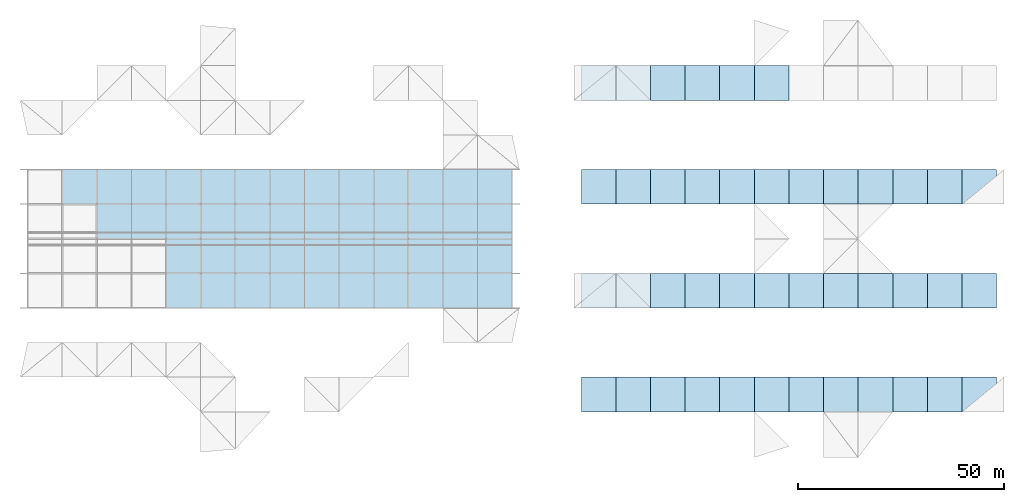
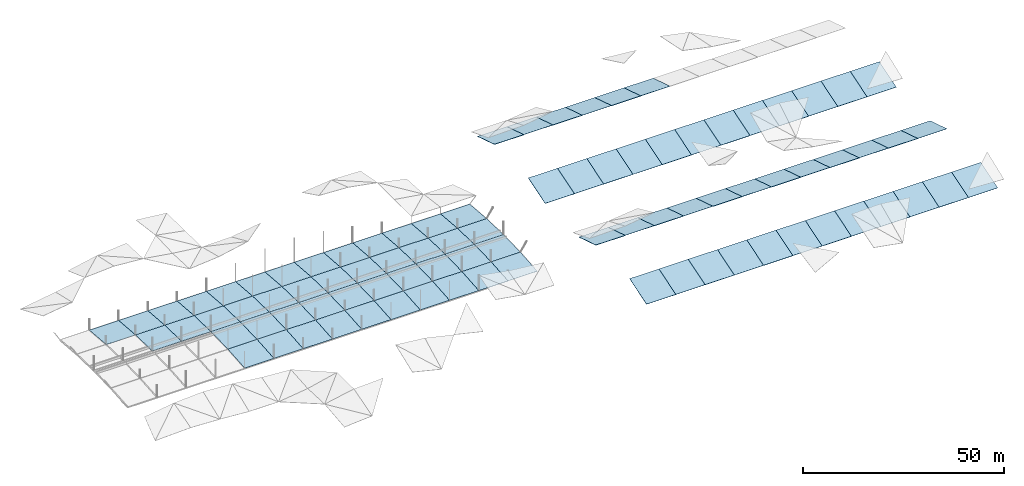
# One storey, part 3 of 37: 87 slabs.
"""IFC4 building model written with IfcOpenShell, lengths in metres."""

from ifc_helpers import new_model, si_unit, direction, frame, origin, place, context, subcontext, project, spatial, polyline, outline, extrude, material, layer, layer_set, type_object, element, save


model = new_model("IFC4")

# Units and contexts
model_context = context("Model", 3, precision=1e-05, world=origin(), true_north=direction((0.0, 1.0)))
body_context = subcontext(model_context, "Body", "Model", "MODEL_VIEW")
ifc_project = project(units=[si_unit("LENGTHUNIT", "METRE"), si_unit("AREAUNIT", "SQUARE_METRE"), si_unit("VOLUMEUNIT", "CUBIC_METRE"), si_unit("PLANEANGLEUNIT", "RADIAN"), si_unit("MASSUNIT", "GRAM", prefix="KILO")], contexts=[model_context])

# Site, building, storey
site_placement = place(None, origin())
site = spatial("IfcSite", under=ifc_project, at=site_placement, CompositionType="ELEMENT")
building_placement = place(site_placement, origin())
building = spatial("IfcBuilding", under=site, at=building_placement, Name="Rain Tree Exposition and Congress Centre", CompositionType="ELEMENT")
storey_placement = place(building_placement, frame((0.0, 0.0, 25.0)))
storey = spatial("IfcBuildingStorey", under=building, at=storey_placement, Name="ROOF VAULT LOW", CompositionType="ELEMENT", Elevation=25.0)

# Slabs
ifc_material_1 = material(Name="Insulated roof panel, S350GD+Z steel skins", Category="steel")
ifc_layer_1 = layer(ifc_material_1, 0.1201171875)
ifc_layer_set_1 = layer_set([ifc_layer_1], Name="Insulated roof panel, S350GD+Z steel skins")
slab_type_1 = type_object("IfcSlabType", Name="Vault roof panel 120", PredefinedType="ROOF", material=ifc_layer_set_1)
for number, where, z_axis, x_axis, name in (
    (1, (42.0, 134.39990234375, 0.4892578125), (0.0, -0.081110654447, 0.996705102693), (1.0, 0.0, 0.0), "Vault roof panel 61"),
    (2, (58.800048828125, 134.39990234375, 0.4892578125), (0.0, -0.081110654447, 0.996705102693), (1.0, 0.0, 0.0), "Vault roof panel 63"),
    (3, (75.60009765625, 134.39990234375, 0.4892578125), (0.0, -0.081110654447, 0.996705102693), (1.0, 0.0, 0.0), "Vault roof panel 65"),
):
    element("IfcSlab", number, at=place(storey_placement, frame(where, z_axis=z_axis, x_axis=x_axis)), inside=storey, type_object=slab_type_1, Name=name, PredefinedType="ROOF", context=body_context, shape_type="SweptSolid", body=[
        extrude(outline(polyline([(0.0, 0.0), (8.39990234375, 0.0), (8.39990234375, 8.427915600787466), (0.0, 8.427915600787466), (0.0, 0.0)])), origin(), (0.0, 0.0, -1.0), 0.1201171875),
    ])
for number, where, z_axis, x_axis, name in (
    (4, (92.39990234375, 134.39990234375, 0.4892578125), (0.0, -0.081110654447, 0.996705102693), (1.0, 0.0, 0.0), "Vault roof panel 67"),
    (5, (109.199951171875, 134.39990234375, 0.4892578125), (0.0, -0.081110654447, 0.996705102693), (1.0, 0.0, 0.0), "Vault roof panel 69"),
):
    element("IfcSlab", number, at=place(storey_placement, frame(where, z_axis=z_axis, x_axis=x_axis)), inside=storey, type_object=slab_type_1, Name=name, PredefinedType="ROOF", context=body_context, shape_type="SweptSolid", body=[
        extrude(outline(polyline([(0.0, 0.0), (8.400146484375, 0.0), (8.400146484375, 8.427915600787466), (0.0, 8.427915600787466), (0.0, 0.0)])), origin(), (0.0, 0.0, -1.0), 0.1201171875),
    ])
slab_1_placement = place(storey_placement, frame((42.0, 142.800048828125, 1.1728515625), z_axis=(0.0, -0.027020300037, 0.999634885038), x_axis=(1.0, 0.0, 0.0)))
element("IfcSlab", 6, at=slab_1_placement, inside=storey, type_object=slab_type_1, Name="Vault roof panel 75", PredefinedType="ROOF", context=body_context, shape_type="SweptSolid", body=[
    extrude(outline(polyline([(0.0, 0.0), (8.39990234375, 0.0), (8.39990234375, 8.402970393962063), (0.0, 8.402970393962063), (0.0, 0.0)])), origin(), (0.0, 0.0, -1.0), 0.1201171875),
])
slab_2_placement = place(storey_placement, frame((50.39990234375, 142.800048828125, 1.1728515625), z_axis=(0.0, -0.027020300037, 0.999634885038), x_axis=(1.0, 0.0, 0.0)))
element("IfcSlab", 7, at=slab_2_placement, inside=storey, type_object=slab_type_1, Name="Vault roof panel 76", PredefinedType="ROOF", context=body_context, shape_type="SweptSolid", body=[
    extrude(outline(polyline([(0.0, 0.0), (8.400146484375, 0.0), (8.400146484375, 8.402970393962065), (0.0, 8.402970393962065), (0.0, 0.0)])), origin(), (0.0, 0.0, -1.0), 0.1201171875),
])
slab_3_placement = place(storey_placement, frame((58.800048828125, 142.800048828125, 1.1728515625), z_axis=(0.0, -0.027020300037, 0.999634885038), x_axis=(1.0, 0.0, 0.0)))
element("IfcSlab", 8, at=slab_3_placement, inside=storey, type_object=slab_type_1, Name="Vault roof panel 77", PredefinedType="ROOF", context=body_context, shape_type="SweptSolid", body=[
    extrude(outline(polyline([(0.0, 0.0), (8.39990234375, 0.0), (8.39990234375, 8.402970393962063), (0.0, 8.402970393962063), (0.0, 0.0)])), origin(), (0.0, 0.0, -1.0), 0.1201171875),
])
slab_4_placement = place(storey_placement, frame((67.199951171875, 142.800048828125, 1.1728515625), z_axis=(0.0, -0.027020300037, 0.999634885038), x_axis=(1.0, 0.0, 0.0)))
element("IfcSlab", 9, at=slab_4_placement, inside=storey, type_object=slab_type_1, Name="Vault roof panel 78", PredefinedType="ROOF", context=body_context, shape_type="SweptSolid", body=[
    extrude(outline(polyline([(0.0, 0.0), (8.400146484375, 0.0), (8.400146484375, 8.402970393962065), (0.0, 8.402970393962065), (0.0, 0.0)])), origin(), (0.0, 0.0, -1.0), 0.1201171875),
])
for number, where, z_axis, x_axis, name in (
    (10, (75.60009765625, 142.800048828125, 1.1728515625), (0.0, -0.027020300037, 0.999634885038), (1.0, 0.0, 0.0), "Vault roof panel 79"),
    (11, (84.0, 142.800048828125, 1.1728515625), (0.0, -0.027020300037, 0.999634885038), (1.0, 0.0, 0.0), "Vault roof panel 80"),
):
    element("IfcSlab", number, at=place(storey_placement, frame(where, z_axis=z_axis, x_axis=x_axis)), inside=storey, type_object=slab_type_1, Name=name, PredefinedType="ROOF", context=body_context, shape_type="SweptSolid", body=[
        extrude(outline(polyline([(0.0, 0.0), (8.39990234375, 0.0), (8.39990234375, 8.402970393962063), (0.0, 8.402970393962063), (0.0, 0.0)])), origin(), (0.0, 0.0, -1.0), 0.1201171875),
    ])
slab_5_placement = place(storey_placement, frame((92.39990234375, 142.800048828125, 1.1728515625), z_axis=(0.0, -0.027020300037, 0.999634885038), x_axis=(1.0, 0.0, 0.0)))
element("IfcSlab", 12, at=slab_5_placement, inside=storey, type_object=slab_type_1, Name="Vault roof panel 81", PredefinedType="ROOF", context=body_context, shape_type="SweptSolid", body=[
    extrude(outline(polyline([(0.0, 0.0), (8.400146484375, 0.0), (8.400146484375, 8.402970393962065), (0.0, 8.402970393962065), (0.0, 0.0)])), origin(), (0.0, 0.0, -1.0), 0.1201171875),
])
slab_6_placement = place(storey_placement, frame((100.800048828125, 142.800048828125, 1.1728515625), z_axis=(0.0, -0.027020300037, 0.999634885038), x_axis=(1.0, 0.0, 0.0)))
element("IfcSlab", 13, at=slab_6_placement, inside=storey, type_object=slab_type_1, Name="Vault roof panel 82", PredefinedType="ROOF", context=body_context, shape_type="SweptSolid", body=[
    extrude(outline(polyline([(0.0, 0.0), (8.39990234375, 0.0), (8.39990234375, 8.402970393962063), (0.0, 8.402970393962063), (0.0, 0.0)])), origin(), (0.0, 0.0, -1.0), 0.1201171875),
])
slab_7_placement = place(storey_placement, frame((109.199951171875, 142.800048828125, 1.1728515625), z_axis=(0.0, -0.027020300037, 0.999634885038), x_axis=(1.0, 0.0, 0.0)))
element("IfcSlab", 14, at=slab_7_placement, inside=storey, type_object=slab_type_1, Name="Vault roof panel 83", PredefinedType="ROOF", context=body_context, shape_type="SweptSolid", body=[
    extrude(outline(polyline([(0.0, 0.0), (8.400146484375, 0.0), (8.400146484375, 8.402970393962065), (0.0, 8.402970393962065), (0.0, 0.0)])), origin(), (0.0, 0.0, -1.0), 0.1201171875),
])
slab_8_placement = place(storey_placement, frame((117.60009765625, 142.800048828125, 1.1728515625), z_axis=(0.0, -0.027020300037, 0.999634885038), x_axis=(1.0, 0.0, 0.0)))
element("IfcSlab", 15, at=slab_8_placement, inside=storey, type_object=slab_type_1, Name="Vault roof panel 84", PredefinedType="ROOF", context=body_context, shape_type="SweptSolid", body=[
    extrude(outline(polyline([(0.0, 0.0), (8.39990234375, 0.0), (8.39990234375, 8.402970393962063), (0.0, 8.402970393962063), (0.0, 0.0)])), origin(), (0.0, 0.0, -1.0), 0.1201171875),
])
slab_9_placement = place(storey_placement, frame((25.199951171875, 151.199951171875, 1.39990234375), z_axis=(0.0, 0.027019515297, 0.99963490625), x_axis=(1.0, 0.0, 0.0)))
element("IfcSlab", 16, at=slab_9_placement, inside=storey, type_object=slab_type_1, Name="Vault roof panel 87", PredefinedType="ROOF", context=body_context, shape_type="SweptSolid", body=[
    extrude(outline(polyline([(0.0, 0.0), (8.400146484375, 0.0), (8.400146484375, 8.40321444545026), (0.0, 8.40321444545026), (0.0, 0.0)])), origin(), (0.0, 0.0, -1.0), 0.1201171875),
])
for number, where, z_axis, x_axis, name in (
    (17, (33.60009765625, 151.199951171875, 1.39990234375), (0.0, 0.027019515297, 0.99963490625), (1.0, 0.0, 0.0), "Vault roof panel 88"),
    (18, (42.0, 151.199951171875, 1.39990234375), (0.0, 0.027019515297, 0.99963490625), (1.0, 0.0, 0.0), "Vault roof panel 89"),
):
    element("IfcSlab", number, at=place(storey_placement, frame(where, z_axis=z_axis, x_axis=x_axis)), inside=storey, type_object=slab_type_1, Name=name, PredefinedType="ROOF", context=body_context, shape_type="SweptSolid", body=[
        extrude(outline(polyline([(0.0, 0.0), (8.39990234375, 0.0), (8.39990234375, 8.40321444545026), (0.0, 8.40321444545026), (0.0, 0.0)])), origin(), (0.0, 0.0, -1.0), 0.1201171875),
    ])
slab_10_placement = place(storey_placement, frame((50.39990234375, 151.199951171875, 1.39990234375), z_axis=(0.0, 0.027019515297, 0.99963490625), x_axis=(1.0, 0.0, 0.0)))
element("IfcSlab", 19, at=slab_10_placement, inside=storey, type_object=slab_type_1, Name="Vault roof panel 90", PredefinedType="ROOF", context=body_context, shape_type="SweptSolid", body=[
    extrude(outline(polyline([(0.0, 0.0), (8.400146484375, 0.0), (8.400146484375, 8.40321444545026), (0.0, 8.40321444545026), (0.0, 0.0)])), origin(), (0.0, 0.0, -1.0), 0.1201171875),
])
slab_11_placement = place(storey_placement, frame((58.800048828125, 151.199951171875, 1.39990234375), z_axis=(0.0, 0.027019515297, 0.99963490625), x_axis=(1.0, 0.0, 0.0)))
element("IfcSlab", 20, at=slab_11_placement, inside=storey, type_object=slab_type_1, Name="Vault roof panel 91", PredefinedType="ROOF", context=body_context, shape_type="SweptSolid", body=[
    extrude(outline(polyline([(0.0, 0.0), (8.39990234375, 0.0), (8.39990234375, 8.40321444545026), (0.0, 8.40321444545026), (0.0, 0.0)])), origin(), (0.0, 0.0, -1.0), 0.1201171875),
])
slab_12_placement = place(storey_placement, frame((67.199951171875, 151.199951171875, 1.39990234375), z_axis=(0.0, 0.027019515297, 0.99963490625), x_axis=(1.0, 0.0, 0.0)))
element("IfcSlab", 21, at=slab_12_placement, inside=storey, type_object=slab_type_1, Name="Vault roof panel 92", PredefinedType="ROOF", context=body_context, shape_type="SweptSolid", body=[
    extrude(outline(polyline([(0.0, 0.0), (8.400146484375, 0.0), (8.400146484375, 8.40321444545026), (0.0, 8.40321444545026), (0.0, 0.0)])), origin(), (0.0, 0.0, -1.0), 0.1201171875),
])
for number, where, z_axis, x_axis, name in (
    (22, (75.60009765625, 151.199951171875, 1.39990234375), (0.0, 0.027019515297, 0.99963490625), (1.0, 0.0, 0.0), "Vault roof panel 93"),
    (23, (84.0, 151.199951171875, 1.39990234375), (0.0, 0.027019515297, 0.99963490625), (1.0, 0.0, 0.0), "Vault roof panel 94"),
):
    element("IfcSlab", number, at=place(storey_placement, frame(where, z_axis=z_axis, x_axis=x_axis)), inside=storey, type_object=slab_type_1, Name=name, PredefinedType="ROOF", context=body_context, shape_type="SweptSolid", body=[
        extrude(outline(polyline([(0.0, 0.0), (8.39990234375, 0.0), (8.39990234375, 8.40321444545026), (0.0, 8.40321444545026), (0.0, 0.0)])), origin(), (0.0, 0.0, -1.0), 0.1201171875),
    ])
slab_13_placement = place(storey_placement, frame((92.39990234375, 151.199951171875, 1.39990234375), z_axis=(0.0, 0.027019515297, 0.99963490625), x_axis=(1.0, 0.0, 0.0)))
element("IfcSlab", 24, at=slab_13_placement, inside=storey, type_object=slab_type_1, Name="Vault roof panel 95", PredefinedType="ROOF", context=body_context, shape_type="SweptSolid", body=[
    extrude(outline(polyline([(0.0, 0.0), (8.400146484375, 0.0), (8.400146484375, 8.40321444545026), (0.0, 8.40321444545026), (0.0, 0.0)])), origin(), (0.0, 0.0, -1.0), 0.1201171875),
])
slab_14_placement = place(storey_placement, frame((100.800048828125, 151.199951171875, 1.39990234375), z_axis=(0.0, 0.027019515297, 0.99963490625), x_axis=(1.0, 0.0, 0.0)))
element("IfcSlab", 25, at=slab_14_placement, inside=storey, type_object=slab_type_1, Name="Vault roof panel 96", PredefinedType="ROOF", context=body_context, shape_type="SweptSolid", body=[
    extrude(outline(polyline([(0.0, 0.0), (8.39990234375, 0.0), (8.39990234375, 8.40321444545026), (0.0, 8.40321444545026), (0.0, 0.0)])), origin(), (0.0, 0.0, -1.0), 0.1201171875),
])
slab_15_placement = place(storey_placement, frame((109.199951171875, 151.199951171875, 1.39990234375), z_axis=(0.0, 0.027019515297, 0.99963490625), x_axis=(1.0, 0.0, 0.0)))
element("IfcSlab", 26, at=slab_15_placement, inside=storey, type_object=slab_type_1, Name="Vault roof panel 97", PredefinedType="ROOF", context=body_context, shape_type="SweptSolid", body=[
    extrude(outline(polyline([(0.0, 0.0), (8.400146484375, 0.0), (8.400146484375, 8.40321444545026), (0.0, 8.40321444545026), (0.0, 0.0)])), origin(), (0.0, 0.0, -1.0), 0.1201171875),
])
slab_16_placement = place(storey_placement, frame((117.60009765625, 151.199951171875, 1.39990234375), z_axis=(0.0, 0.027019515297, 0.99963490625), x_axis=(1.0, 0.0, 0.0)))
element("IfcSlab", 27, at=slab_16_placement, inside=storey, type_object=slab_type_1, Name="Vault roof panel 98", PredefinedType="ROOF", context=body_context, shape_type="SweptSolid", body=[
    extrude(outline(polyline([(0.0, 0.0), (8.39990234375, 0.0), (8.39990234375, 8.40321444545026), (0.0, 8.40321444545026), (0.0, 0.0)])), origin(), (0.0, 0.0, -1.0), 0.1201171875),
])
slab_17_placement = place(storey_placement, frame((25.199951171875, 159.60009765625, 1.1728515625), z_axis=(0.0, 0.081112996393, 0.996704912106), x_axis=(1.0, 0.0, 0.0)))
element("IfcSlab", 28, at=slab_17_placement, inside=storey, type_object=slab_type_1, Name="Vault roof panel 101", PredefinedType="ROOF", context=body_context, shape_type="SweptSolid", body=[
    extrude(outline(polyline([(0.0, 0.0), (8.400146484375, 0.0), (8.400146484375, 8.427672264604018), (0.0, 8.427672264604018), (0.0, 0.0)])), origin(), (0.0, 0.0, -1.0), 0.1201171875),
])
for number, where, z_axis, x_axis, name in (
    (29, (42.0, 159.60009765625, 1.1728515625), (0.0, 0.081112996393, 0.996704912106), (1.0, 0.0, 0.0), "Vault roof panel 103"),
    (30, (58.800048828125, 159.60009765625, 1.1728515625), (0.0, 0.081112996393, 0.996704912106), (1.0, 0.0, 0.0), "Vault roof panel 105"),
    (31, (75.60009765625, 159.60009765625, 1.1728515625), (0.0, 0.081112996393, 0.996704912106), (1.0, 0.0, 0.0), "Vault roof panel 107"),
):
    element("IfcSlab", number, at=place(storey_placement, frame(where, z_axis=z_axis, x_axis=x_axis)), inside=storey, type_object=slab_type_1, Name=name, PredefinedType="ROOF", context=body_context, shape_type="SweptSolid", body=[
        extrude(outline(polyline([(0.0, 0.0), (8.39990234375, 0.0), (8.39990234375, 8.427672264604016), (0.0, 8.427672264604016), (0.0, 0.0)])), origin(), (0.0, 0.0, -1.0), 0.1201171875),
    ])
for number, where, z_axis, x_axis, name in (
    (32, (92.39990234375, 159.60009765625, 1.1728515625), (0.0, 0.081112996393, 0.996704912106), (1.0, 0.0, 0.0), "Vault roof panel 109"),
    (33, (109.199951171875, 159.60009765625, 1.1728515625), (0.0, 0.081112996393, 0.996704912106), (1.0, 0.0, 0.0), "Vault roof panel 111"),
):
    element("IfcSlab", number, at=place(storey_placement, frame(where, z_axis=z_axis, x_axis=x_axis)), inside=storey, type_object=slab_type_1, Name=name, PredefinedType="ROOF", context=body_context, shape_type="SweptSolid", body=[
        extrude(outline(polyline([(0.0, 0.0), (8.400146484375, 0.0), (8.400146484375, 8.427672264604018), (0.0, 8.427672264604018), (0.0, 0.0)])), origin(), (0.0, 0.0, -1.0), 0.1201171875),
    ])
for number, where, z_axis, x_axis, name in (
    (34, (142.800048828125, 109.199951171875, -0.10595703125), (0.0, -0.301575613955, 0.953442263101), (1.0, 0.0, 0.0), "Vault roof panel 13"),
    (35, (159.60009765625, 109.199951171875, -0.10595703125), (0.0, -0.301575613955, 0.953442263101), (1.0, 0.0, 0.0), "Vault roof panel 15"),
):
    element("IfcSlab", number, at=place(storey_placement, frame(where, z_axis=z_axis, x_axis=x_axis)), inside=storey, type_object=slab_type_1, Name=name, PredefinedType="ROOF", context=body_context, shape_type="SweptSolid", body=[
        extrude(outline(polyline([(0.0, 0.0), (8.39990234375, 0.0), (8.39990234375, 8.810335779589245), (0.0, 8.810335779589245), (0.0, 0.0)])), origin(), (0.0, 0.0, -1.0), 0.1201171875),
    ])
for number, where, z_axis, x_axis, name in (
    (36, (176.39990234375, 109.199951171875, -0.10595703125), (0.0, -0.301575613955, 0.953442263101), (1.0, 0.0, 0.0), "Vault roof panel 17"),
    (37, (193.199951171875, 109.199951171875, -0.10595703125), (0.0, -0.301575613955, 0.953442263101), (1.0, 0.0, 0.0), "Vault roof panel 19"),
):
    element("IfcSlab", number, at=place(storey_placement, frame(where, z_axis=z_axis, x_axis=x_axis)), inside=storey, type_object=slab_type_1, Name=name, PredefinedType="ROOF", context=body_context, shape_type="SweptSolid", body=[
        extrude(outline(polyline([(0.0, 0.0), (8.400146484375, 0.0), (8.400146484375, 8.810335779589245), (0.0, 8.810335779589245), (0.0, 0.0)])), origin(), (0.0, 0.0, -1.0), 0.1201171875),
    ])
for number, where, z_axis, x_axis, name in (
    (38, (210.0, 109.199951171875, -0.10595703125), (0.0, -0.301575613955, 0.953442263101), (1.0, 0.0, 0.0), "Vault roof panel 21"),
    (39, (226.800048828125, 109.199951171875, -0.10595703125), (0.0, -0.301575613955, 0.953442263101), (1.0, 0.0, 0.0), "Vault roof panel 23"),
    (40, (142.800048828125, 134.39990234375, 2.551025390625), (0.0, 0.301575613955, 0.953442263101), (1.0, 0.0, 0.0), "Vault roof panel 49"),
    (41, (159.60009765625, 134.39990234375, 2.551025390625), (0.0, 0.301575613955, 0.953442263101), (1.0, 0.0, 0.0), "Vault roof panel 51"),
):
    element("IfcSlab", number, at=place(storey_placement, frame(where, z_axis=z_axis, x_axis=x_axis)), inside=storey, type_object=slab_type_1, Name=name, PredefinedType="ROOF", context=body_context, shape_type="SweptSolid", body=[
        extrude(outline(polyline([(0.0, 0.0), (8.39990234375, 0.0), (8.39990234375, 8.810335779589245), (0.0, 8.810335779589245), (0.0, 0.0)])), origin(), (0.0, 0.0, -1.0), 0.1201171875),
    ])
for number, where, z_axis, x_axis, name in (
    (42, (176.39990234375, 134.39990234375, 2.551025390625), (0.0, 0.301575613955, 0.953442263101), (1.0, 0.0, 0.0), "Vault roof panel 53"),
    (43, (193.199951171875, 134.39990234375, 2.551025390625), (0.0, 0.301575613955, 0.953442263101), (1.0, 0.0, 0.0), "Vault roof panel 55"),
):
    element("IfcSlab", number, at=place(storey_placement, frame(where, z_axis=z_axis, x_axis=x_axis)), inside=storey, type_object=slab_type_1, Name=name, PredefinedType="ROOF", context=body_context, shape_type="SweptSolid", body=[
        extrude(outline(polyline([(0.0, 0.0), (8.400146484375, 0.0), (8.400146484375, 8.810335779589245), (0.0, 8.810335779589245), (0.0, 0.0)])), origin(), (0.0, 0.0, -1.0), 0.1201171875),
    ])
for number, where, z_axis, x_axis, name in (
    (44, (210.0, 134.39990234375, 2.551025390625), (0.0, 0.301575613955, 0.953442263101), (1.0, 0.0, 0.0), "Vault roof panel 57"),
    (45, (226.800048828125, 134.39990234375, 2.551025390625), (0.0, 0.301575613955, 0.953442263101), (1.0, 0.0, 0.0), "Vault roof panel 59"),
):
    element("IfcSlab", number, at=place(storey_placement, frame(where, z_axis=z_axis, x_axis=x_axis)), inside=storey, type_object=slab_type_1, Name=name, PredefinedType="ROOF", context=body_context, shape_type="SweptSolid", body=[
        extrude(outline(polyline([(0.0, 0.0), (8.39990234375, 0.0), (8.39990234375, 8.810335779589245), (0.0, 8.810335779589245), (0.0, 0.0)])), origin(), (0.0, 0.0, -1.0), 0.1201171875),
    ])
for number, where, z_axis, x_axis, name in (
    (46, (142.800048828125, 159.60009765625, -0.10595703125), (0.0, -0.301583581951, 0.953439742772), (1.0, 0.0, 0.0), "Vault roof panel 85"),
    (47, (159.60009765625, 159.60009765625, -0.10595703125), (0.0, -0.301583581951, 0.953439742772), (1.0, 0.0, 0.0), "Vault roof panel 87"),
):
    element("IfcSlab", number, at=place(storey_placement, frame(where, z_axis=z_axis, x_axis=x_axis)), inside=storey, type_object=slab_type_1, Name=name, PredefinedType="ROOF", context=body_context, shape_type="SweptSolid", body=[
        extrude(outline(polyline([(0.0, 0.0), (8.39990234375, 0.0), (8.39990234375, 8.810103005906882), (0.0, 8.810103005906882), (0.0, 0.0)])), origin(), (0.0, 0.0, -1.0), 0.1201171875),
    ])
for number, where, z_axis, x_axis, name in (
    (48, (176.39990234375, 159.60009765625, -0.10595703125), (0.0, -0.301583581951, 0.953439742772), (1.0, 0.0, 0.0), "Vault roof panel 89"),
    (49, (193.199951171875, 159.60009765625, -0.10595703125), (0.0, -0.301583581951, 0.953439742772), (1.0, 0.0, 0.0), "Vault roof panel 91"),
):
    element("IfcSlab", number, at=place(storey_placement, frame(where, z_axis=z_axis, x_axis=x_axis)), inside=storey, type_object=slab_type_1, Name=name, PredefinedType="ROOF", context=body_context, shape_type="SweptSolid", body=[
        extrude(outline(polyline([(0.0, 0.0), (8.400146484375, 0.0), (8.400146484375, 8.810103005906882), (0.0, 8.810103005906882), (0.0, 0.0)])), origin(), (0.0, 0.0, -1.0), 0.1201171875),
    ])
for number, where, z_axis, x_axis, name in (
    (50, (210.0, 159.60009765625, -0.10595703125), (0.0, -0.301583581951, 0.953439742772), (1.0, 0.0, 0.0), "Vault roof panel 93"),
    (51, (226.800048828125, 159.60009765625, -0.10595703125), (0.0, -0.301583581951, 0.953439742772), (1.0, 0.0, 0.0), "Vault roof panel 95"),
    (52, (142.800048828125, 184.800048828125, 2.551025390625), (0.0, 0.301583581951, 0.953439742772), (1.0, 0.0, 0.0), "Vault roof panel 121"),
    (53, (159.60009765625, 184.800048828125, 2.551025390625), (0.0, 0.301583581951, 0.953439742772), (1.0, 0.0, 0.0), "Vault roof panel 123"),
):
    element("IfcSlab", number, at=place(storey_placement, frame(where, z_axis=z_axis, x_axis=x_axis)), inside=storey, type_object=slab_type_1, Name=name, PredefinedType="ROOF", context=body_context, shape_type="SweptSolid", body=[
        extrude(outline(polyline([(0.0, 0.0), (8.39990234375, 0.0), (8.39990234375, 8.810103005906882), (0.0, 8.810103005906882), (0.0, 0.0)])), origin(), (0.0, 0.0, -1.0), 0.1201171875),
    ])
slab_18_placement = place(storey_placement, frame((176.39990234375, 184.800048828125, 2.551025390625), z_axis=(0.0, 0.301583581951, 0.953439742772), x_axis=(1.0, 0.0, 0.0)))
element("IfcSlab", 54, at=slab_18_placement, inside=storey, type_object=slab_type_1, Name="Vault roof panel 125", PredefinedType="ROOF", context=body_context, shape_type="SweptSolid", body=[
    extrude(outline(polyline([(0.0, 0.0), (8.400146484375, 0.0), (8.400146484375, 8.810103005906882), (0.0, 8.810103005906882), (0.0, 0.0)])), origin(), (0.0, 0.0, -1.0), 0.1201171875),
])
ifc_material_2 = material(Name="Safety glass in S355 steel frame, S355J2H tubes", Category="steel")
ifc_layer_2 = layer(ifc_material_2, 0.06005859375)
ifc_layer_set_2 = layer_set([ifc_layer_2], Name="Safety glass in S355 steel frame, S355J2H tubes")
slab_type_2 = type_object("IfcSlabType", Name="Vault rooflight panel 60", PredefinedType="ROOF", material=ifc_layer_set_2)
for number, where, z_axis, x_axis, name in (
    (55, (50.39990234375, 134.39990234375, 0.4892578125), (0.0, -0.081110654447, 0.996705102693), (1.0, 0.0, 0.0), "Vault rooflight panel 62"),
    (56, (67.199951171875, 134.39990234375, 0.4892578125), (0.0, -0.081110654447, 0.996705102693), (1.0, 0.0, 0.0), "Vault rooflight panel 64"),
):
    element("IfcSlab", number, at=place(storey_placement, frame(where, z_axis=z_axis, x_axis=x_axis)), inside=storey, type_object=slab_type_2, Name=name, PredefinedType="ROOF", context=body_context, shape_type="SweptSolid", body=[
        extrude(outline(polyline([(0.0, 0.0), (8.400146484375, 0.0), (8.400146484375, 8.427915600787466), (0.0, 8.427915600787466), (0.0, 0.0)])), origin(), (0.0, 0.0, -1.0), 0.06005859375),
    ])
for number, where, z_axis, x_axis, name in (
    (57, (84.0, 134.39990234375, 0.4892578125), (0.0, -0.081110654447, 0.996705102693), (1.0, 0.0, 0.0), "Vault rooflight panel 66"),
    (58, (100.800048828125, 134.39990234375, 0.4892578125), (0.0, -0.081110654447, 0.996705102693), (1.0, 0.0, 0.0), "Vault rooflight panel 68"),
    (59, (117.60009765625, 134.39990234375, 0.4892578125), (0.0, -0.081110654447, 0.996705102693), (1.0, 0.0, 0.0), "Vault rooflight panel 70"),
):
    element("IfcSlab", number, at=place(storey_placement, frame(where, z_axis=z_axis, x_axis=x_axis)), inside=storey, type_object=slab_type_2, Name=name, PredefinedType="ROOF", context=body_context, shape_type="SweptSolid", body=[
        extrude(outline(polyline([(0.0, 0.0), (8.39990234375, 0.0), (8.39990234375, 8.427915600787466), (0.0, 8.427915600787466), (0.0, 0.0)])), origin(), (0.0, 0.0, -1.0), 0.06005859375),
    ])
for number, where, z_axis, x_axis, name in (
    (60, (16.800048828125, 159.60009765625, 1.1728515625), (0.0, 0.081112996393, 0.996704912106), (1.0, 0.0, 0.0), "Vault rooflight panel 100"),
    (61, (33.60009765625, 159.60009765625, 1.1728515625), (0.0, 0.081112996393, 0.996704912106), (1.0, 0.0, 0.0), "Vault rooflight panel 102"),
):
    element("IfcSlab", number, at=place(storey_placement, frame(where, z_axis=z_axis, x_axis=x_axis)), inside=storey, type_object=slab_type_2, Name=name, PredefinedType="ROOF", context=body_context, shape_type="SweptSolid", body=[
        extrude(outline(polyline([(0.0, 0.0), (8.39990234375, 0.0), (8.39990234375, 8.427672264604016), (0.0, 8.427672264604016), (0.0, 0.0)])), origin(), (0.0, 0.0, -1.0), 0.06005859375),
    ])
for number, where, z_axis, x_axis, name in (
    (62, (50.39990234375, 159.60009765625, 1.1728515625), (0.0, 0.081112996393, 0.996704912106), (1.0, 0.0, 0.0), "Vault rooflight panel 104"),
    (63, (67.199951171875, 159.60009765625, 1.1728515625), (0.0, 0.081112996393, 0.996704912106), (1.0, 0.0, 0.0), "Vault rooflight panel 106"),
):
    element("IfcSlab", number, at=place(storey_placement, frame(where, z_axis=z_axis, x_axis=x_axis)), inside=storey, type_object=slab_type_2, Name=name, PredefinedType="ROOF", context=body_context, shape_type="SweptSolid", body=[
        extrude(outline(polyline([(0.0, 0.0), (8.400146484375, 0.0), (8.400146484375, 8.427672264604018), (0.0, 8.427672264604018), (0.0, 0.0)])), origin(), (0.0, 0.0, -1.0), 0.06005859375),
    ])
for number, where, z_axis, x_axis, name in (
    (64, (84.0, 159.60009765625, 1.1728515625), (0.0, 0.081112996393, 0.996704912106), (1.0, 0.0, 0.0), "Vault rooflight panel 108"),
    (65, (100.800048828125, 159.60009765625, 1.1728515625), (0.0, 0.081112996393, 0.996704912106), (1.0, 0.0, 0.0), "Vault rooflight panel 110"),
    (66, (117.60009765625, 159.60009765625, 1.1728515625), (0.0, 0.081112996393, 0.996704912106), (1.0, 0.0, 0.0), "Vault rooflight panel 112"),
):
    element("IfcSlab", number, at=place(storey_placement, frame(where, z_axis=z_axis, x_axis=x_axis)), inside=storey, type_object=slab_type_2, Name=name, PredefinedType="ROOF", context=body_context, shape_type="SweptSolid", body=[
        extrude(outline(polyline([(0.0, 0.0), (8.39990234375, 0.0), (8.39990234375, 8.427672264604016), (0.0, 8.427672264604016), (0.0, 0.0)])), origin(), (0.0, 0.0, -1.0), 0.06005859375),
    ])
slab_19_placement = place(storey_placement, frame((151.199951171875, 109.199951171875, -0.10595703125), z_axis=(0.0, -0.301575613955, 0.953442263101), x_axis=(1.0, 0.0, 0.0)))
element("IfcSlab", 67, at=slab_19_placement, inside=storey, type_object=slab_type_2, Name="Vault rooflight panel 14", PredefinedType="ROOF", context=body_context, shape_type="SweptSolid", body=[
    extrude(outline(polyline([(0.0, 0.0), (8.400146484375, 0.0), (8.400146484375, 8.810335779589245), (0.0, 8.810335779589245), (0.0, 0.0)])), origin(), (0.0, 0.0, -1.0), 0.06005859375),
])
for number, where, z_axis, x_axis, name in (
    (68, (168.0, 109.199951171875, -0.10595703125), (0.0, -0.301575613955, 0.953442263101), (1.0, 0.0, 0.0), "Vault rooflight panel 16"),
    (69, (184.800048828125, 109.199951171875, -0.10595703125), (0.0, -0.301575613955, 0.953442263101), (1.0, 0.0, 0.0), "Vault rooflight panel 18"),
    (70, (201.60009765625, 109.199951171875, -0.10595703125), (0.0, -0.301575613955, 0.953442263101), (1.0, 0.0, 0.0), "Vault rooflight panel 20"),
):
    element("IfcSlab", number, at=place(storey_placement, frame(where, z_axis=z_axis, x_axis=x_axis)), inside=storey, type_object=slab_type_2, Name=name, PredefinedType="ROOF", context=body_context, shape_type="SweptSolid", body=[
        extrude(outline(polyline([(0.0, 0.0), (8.39990234375, 0.0), (8.39990234375, 8.810335779589245), (0.0, 8.810335779589245), (0.0, 0.0)])), origin(), (0.0, 0.0, -1.0), 0.06005859375),
    ])
for number, where, z_axis, x_axis, name in (
    (71, (218.39990234375, 109.199951171875, -0.10595703125), (0.0, -0.301575613955, 0.953442263101), (1.0, 0.0, 0.0), "Vault rooflight panel 22"),
    (72, (235.199951171875, 109.199951171875, -0.10595703125), (0.0, -0.301575613955, 0.953442263101), (1.0, 0.0, 0.0), "Vault rooflight panel 24"),
    (73, (151.199951171875, 134.39990234375, 2.551025390625), (0.0, 0.301575613955, 0.953442263101), (1.0, 0.0, 0.0), "Vault rooflight panel 50"),
):
    element("IfcSlab", number, at=place(storey_placement, frame(where, z_axis=z_axis, x_axis=x_axis)), inside=storey, type_object=slab_type_2, Name=name, PredefinedType="ROOF", context=body_context, shape_type="SweptSolid", body=[
        extrude(outline(polyline([(0.0, 0.0), (8.400146484375, 0.0), (8.400146484375, 8.810335779589245), (0.0, 8.810335779589245), (0.0, 0.0)])), origin(), (0.0, 0.0, -1.0), 0.06005859375),
    ])
for number, where, z_axis, x_axis, name in (
    (74, (168.0, 134.39990234375, 2.551025390625), (0.0, 0.301575613955, 0.953442263101), (1.0, 0.0, 0.0), "Vault rooflight panel 52"),
    (75, (184.800048828125, 134.39990234375, 2.551025390625), (0.0, 0.301575613955, 0.953442263101), (1.0, 0.0, 0.0), "Vault rooflight panel 54"),
    (76, (201.60009765625, 134.39990234375, 2.551025390625), (0.0, 0.301575613955, 0.953442263101), (1.0, 0.0, 0.0), "Vault rooflight panel 56"),
):
    element("IfcSlab", number, at=place(storey_placement, frame(where, z_axis=z_axis, x_axis=x_axis)), inside=storey, type_object=slab_type_2, Name=name, PredefinedType="ROOF", context=body_context, shape_type="SweptSolid", body=[
        extrude(outline(polyline([(0.0, 0.0), (8.39990234375, 0.0), (8.39990234375, 8.810335779589245), (0.0, 8.810335779589245), (0.0, 0.0)])), origin(), (0.0, 0.0, -1.0), 0.06005859375),
    ])
for number, where, z_axis, x_axis, name in (
    (77, (218.39990234375, 134.39990234375, 2.551025390625), (0.0, 0.301575613955, 0.953442263101), (1.0, 0.0, 0.0), "Vault rooflight panel 58"),
    (78, (235.199951171875, 134.39990234375, 2.551025390625), (0.0, 0.301575613955, 0.953442263101), (1.0, 0.0, 0.0), "Vault rooflight panel 60"),
):
    element("IfcSlab", number, at=place(storey_placement, frame(where, z_axis=z_axis, x_axis=x_axis)), inside=storey, type_object=slab_type_2, Name=name, PredefinedType="ROOF", context=body_context, shape_type="SweptSolid", body=[
        extrude(outline(polyline([(0.0, 0.0), (8.400146484375, 0.0), (8.400146484375, 8.810335779589245), (0.0, 8.810335779589245), (0.0, 0.0)])), origin(), (0.0, 0.0, -1.0), 0.06005859375),
    ])
slab_20_placement = place(storey_placement, frame((151.199951171875, 159.60009765625, -0.10595703125), z_axis=(0.0, -0.301583581951, 0.953439742772), x_axis=(1.0, 0.0, 0.0)))
element("IfcSlab", 79, at=slab_20_placement, inside=storey, type_object=slab_type_2, Name="Vault rooflight panel 86", PredefinedType="ROOF", context=body_context, shape_type="SweptSolid", body=[
    extrude(outline(polyline([(0.0, 0.0), (8.400146484375, 0.0), (8.400146484375, 8.810103005906882), (0.0, 8.810103005906882), (0.0, 0.0)])), origin(), (0.0, 0.0, -1.0), 0.06005859375),
])
for number, where, z_axis, x_axis, name in (
    (80, (168.0, 159.60009765625, -0.10595703125), (0.0, -0.301583581951, 0.953439742772), (1.0, 0.0, 0.0), "Vault rooflight panel 88"),
    (81, (184.800048828125, 159.60009765625, -0.10595703125), (0.0, -0.301583581951, 0.953439742772), (1.0, 0.0, 0.0), "Vault rooflight panel 90"),
    (82, (201.60009765625, 159.60009765625, -0.10595703125), (0.0, -0.301583581951, 0.953439742772), (1.0, 0.0, 0.0), "Vault rooflight panel 92"),
):
    element("IfcSlab", number, at=place(storey_placement, frame(where, z_axis=z_axis, x_axis=x_axis)), inside=storey, type_object=slab_type_2, Name=name, PredefinedType="ROOF", context=body_context, shape_type="SweptSolid", body=[
        extrude(outline(polyline([(0.0, 0.0), (8.39990234375, 0.0), (8.39990234375, 8.810103005906882), (0.0, 8.810103005906882), (0.0, 0.0)])), origin(), (0.0, 0.0, -1.0), 0.06005859375),
    ])
for number, where, z_axis, x_axis, name in (
    (83, (218.39990234375, 159.60009765625, -0.10595703125), (0.0, -0.301583581951, 0.953439742772), (1.0, 0.0, 0.0), "Vault rooflight panel 94"),
    (84, (235.199951171875, 159.60009765625, -0.10595703125), (0.0, -0.301583581951, 0.953439742772), (1.0, 0.0, 0.0), "Vault rooflight panel 96"),
    (85, (151.199951171875, 184.800048828125, 2.551025390625), (0.0, 0.301583581951, 0.953439742772), (1.0, 0.0, 0.0), "Vault rooflight panel 122"),
):
    element("IfcSlab", number, at=place(storey_placement, frame(where, z_axis=z_axis, x_axis=x_axis)), inside=storey, type_object=slab_type_2, Name=name, PredefinedType="ROOF", context=body_context, shape_type="SweptSolid", body=[
        extrude(outline(polyline([(0.0, 0.0), (8.400146484375, 0.0), (8.400146484375, 8.810103005906882), (0.0, 8.810103005906882), (0.0, 0.0)])), origin(), (0.0, 0.0, -1.0), 0.06005859375),
    ])
for number, where, z_axis, x_axis, name in (
    (86, (168.0, 184.800048828125, 2.551025390625), (0.0, 0.301583581951, 0.953439742772), (1.0, 0.0, 0.0), "Vault rooflight panel 124"),
    (87, (184.800048828125, 184.800048828125, 2.551025390625), (0.0, 0.301583581951, 0.953439742772), (1.0, 0.0, 0.0), "Vault rooflight panel 126"),
):
    element("IfcSlab", number, at=place(storey_placement, frame(where, z_axis=z_axis, x_axis=x_axis)), inside=storey, type_object=slab_type_2, Name=name, PredefinedType="ROOF", context=body_context, shape_type="SweptSolid", body=[
        extrude(outline(polyline([(0.0, 0.0), (8.39990234375, 0.0), (8.39990234375, 8.810103005906882), (0.0, 8.810103005906882), (0.0, 0.0)])), origin(), (0.0, 0.0, -1.0), 0.06005859375),
    ])

save(model, "model.ifc")
